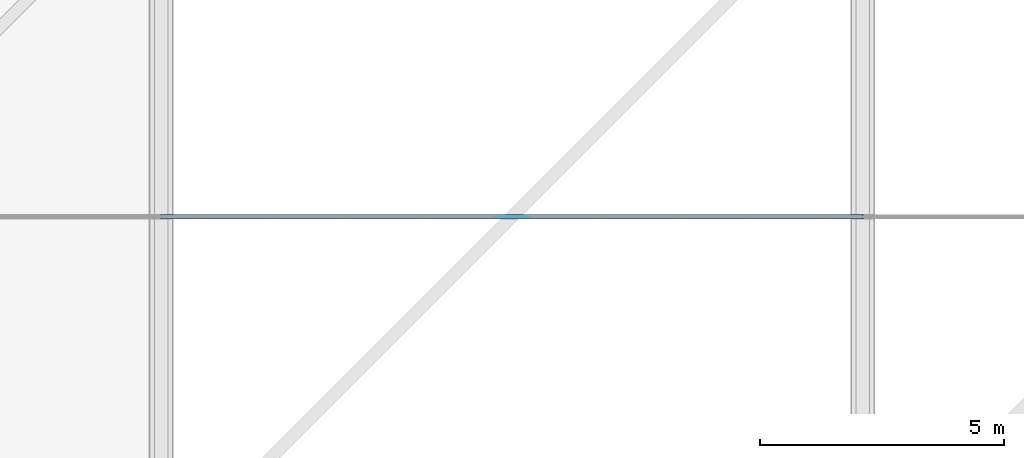
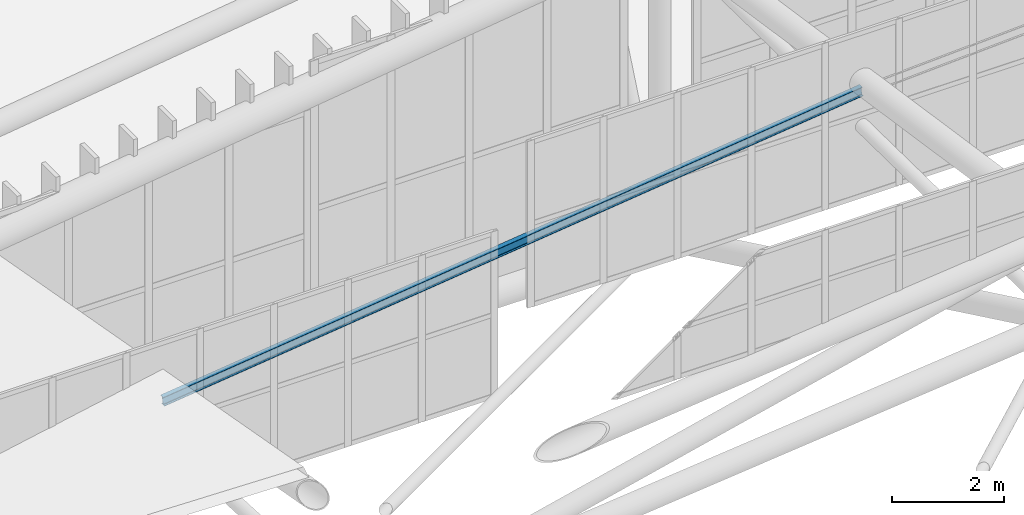
# One storey, part 238 of 397: 1 member.
"""IFC4 building model written with IfcOpenShell, lengths in metres."""

from ifc_helpers import new_model, si_unit, direction, frame, origin, origin_2d, place, context, subcontext, project, spatial, i_section, extrude, material, material_profile, profile_set, type_object, element, save


model = new_model("IFC4")

# Units and contexts
model_context = context("Model", 3, precision=1e-05, world=origin(), true_north=direction((0.0, 1.0)))
body_context = subcontext(model_context, "Body", "Model", "MODEL_VIEW")
ifc_project = project(units=[si_unit("LENGTHUNIT", "METRE"), si_unit("AREAUNIT", "SQUARE_METRE"), si_unit("VOLUMEUNIT", "CUBIC_METRE"), si_unit("PLANEANGLEUNIT", "RADIAN"), si_unit("MASSUNIT", "GRAM", prefix="KILO")], contexts=[model_context])

# Site, building, storey
site_placement = place(None, origin())
site = spatial("IfcSite", under=ifc_project, at=site_placement, CompositionType="ELEMENT")
building_placement = place(site_placement, origin())
building = spatial("IfcBuilding", under=site, at=building_placement, Name="Qandorah Velis Arena", CompositionType="ELEMENT")
storey_placement = place(building_placement, frame((0.0, 0.0, 27.5)))
storey = spatial("IfcBuildingStorey", under=building, at=storey_placement, Name="RF", CompositionType="ELEMENT", Elevation=27.5)

# Member
ifc_material = material(Name="Steel S355", Category="steel")
ifc_material_profile = material_profile(ifc_material, i_section(OverallWidth=0.10009765625, OverallDepth=0.199951171875, WebThickness=0.005615234375, FlangeThickness=0.008544921875, FilletRadius=0.011962890625, at=origin_2d()), Name="IPE 200")
ifc_profile_set = profile_set([ifc_material_profile], Name="Steel S355")
member_type = type_object("IfcMemberType", Name="STR-PRL-IPE200", PredefinedType="PURLIN", material=ifc_profile_set)
member_placement = place(storey_placement, frame((28.800048828125, 108.0, 5.938720703125), z_axis=(0.992936140463, 0.0, 0.118649993523), x_axis=(0.0, 1.0, 0.0)))
element("IfcMember", 1, at=member_placement, inside=storey, type_object=member_type, Name="Arena roof purlin PRL-1.6", PredefinedType="PURLIN", context=body_context, shape_type="SweptSolid", body=[
    extrude(i_section(OverallWidth=0.10009765625, OverallDepth=0.199951171875, WebThickness=0.005615234375, FlangeThickness=0.008544921875, FilletRadius=0.011962890625, at=origin_2d()), origin(), (0.0, 0.0, 1.0), 14.50244140625),
])

save(model, "model.ifc")
